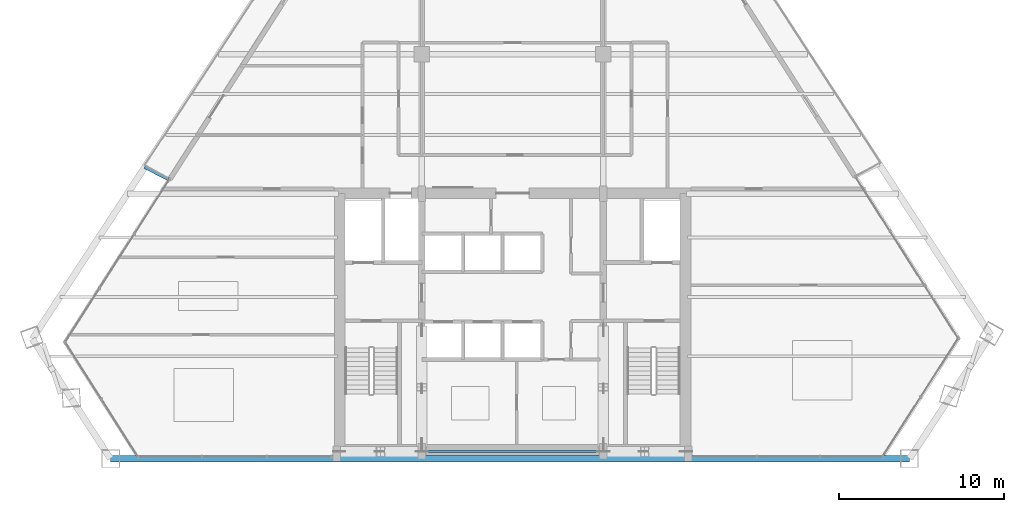
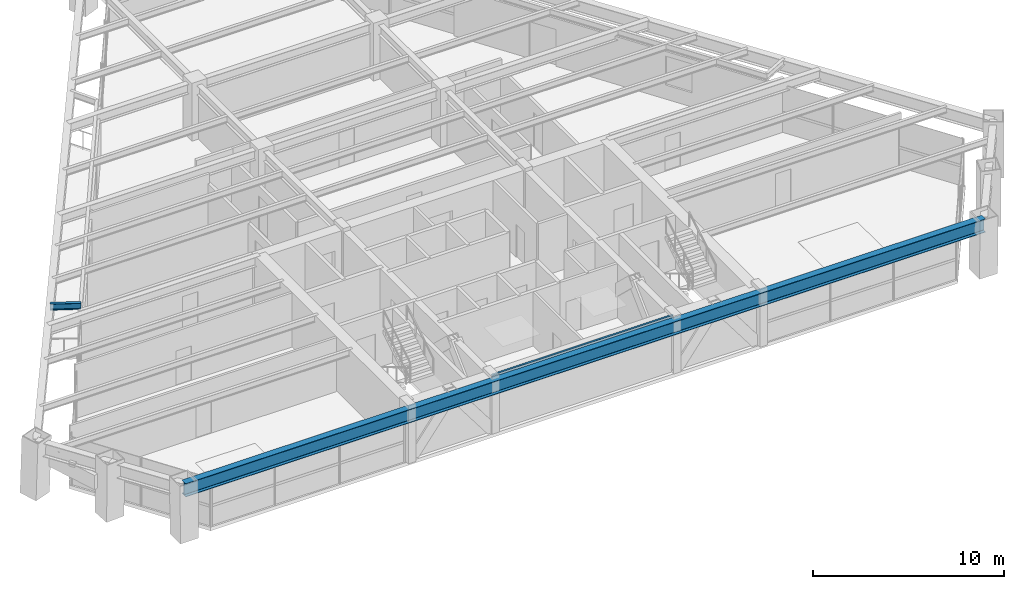
# One storey, part 3 of 15: 3 beams.
"""IFC4 building model written with IfcOpenShell, lengths in metres."""

from ifc_helpers import new_model, si_unit, direction, frame, origin, origin_2d, place, context, subcontext, project, spatial, i_section, extrude, source, transform, mapped, material, material_profile, profile_set, type_object, type_shapes, element, save


model = new_model("IFC4")

# Units and contexts
model_context = context("Model", 3, precision=1e-05, world=origin(), true_north=direction((0.0, 1.0)))
body_context = subcontext(model_context, "Body", "Model", "MODEL_VIEW")
ifc_project = project(units=[si_unit("LENGTHUNIT", "METRE"), si_unit("AREAUNIT", "SQUARE_METRE"), si_unit("VOLUMEUNIT", "CUBIC_METRE"), si_unit("PLANEANGLEUNIT", "RADIAN"), si_unit("MASSUNIT", "GRAM", prefix="KILO")], contexts=[model_context])

# Site, building, storey
site_placement = place(None, origin())
site = spatial("IfcSite", under=ifc_project, at=site_placement, CompositionType="ELEMENT")
building_placement = place(site_placement, origin())
building = spatial("IfcBuilding", under=site, at=building_placement, Name="Varnakhor Terracotta Tower", CompositionType="ELEMENT")
storey_placement = place(building_placement, frame((0.0, 0.0, 155.199951171875)))
storey = spatial("IfcBuildingStorey", under=building, at=storey_placement, Name="L39", CompositionType="ELEMENT", Elevation=155.199951171875)

# Beams
ifc_material = material(Name="Steel S355", Category="steel")
ifc_material_profile_1 = material_profile(ifc_material, i_section(OverallWidth=0.1201171875, OverallDepth=0.239990234375, WebThickness=0.006103515625, FlangeThickness=0.009765625, FilletRadius=0.01806640625, at=origin_2d()), Name="IPE240")
ifc_profile_set_1 = profile_set([ifc_material_profile_1], Name="Steel S355")
beam_type_1 = type_object("IfcBeamType", Name="LNT-IPE240", PredefinedType="LINTEL", material=ifc_profile_set_1)
shared_shape_1 = source(origin(), body_context, "Body", "SweptSolid", [
    extrude(i_section(OverallWidth=0.1201171875, OverallDepth=0.239990234375, WebThickness=0.006103515625, FlangeThickness=0.009765625, FilletRadius=0.01806640625, at=origin_2d()), origin(), (0.0, 0.0, 1.0), 11.0),
])
type_shapes(beam_type_1, [shared_shape_1])
beam_1_placement = place(storey_placement, frame((-5.5, 0.419921875, 3.35009765625), z_axis=(1.0, 0.0, 0.0), x_axis=(0.0, 1.0, 0.0)))
element("IfcBeam", 1, at=beam_1_placement, inside=storey, type_object=beam_type_1, Name="L39 Core South Coupling Lintel", PredefinedType="LINTEL", context=body_context, shape_type="MappedRepresentation", body=[
    mapped(shared_shape_1, transform((0.0, 0.0, 0.0), scale=1.0)),
])
ifc_material_profile_2 = material_profile(ifc_material, i_section(OverallWidth=0.39990234375, OverallDepth=0.85498046875, WebThickness=0.01806640625, FlangeThickness=0.029052734375, FilletRadius=0.01806640625, at=origin_2d()), Name="W33X201")
ifc_profile_set_2 = profile_set([ifc_material_profile_2], Name="Steel S355")
beam_type_2 = type_object("IfcBeamType", Name="BM-W33X201", PredefinedType="BEAM", material=ifc_profile_set_2)
shared_shape_2 = source(origin(), body_context, "Body", "SweptSolid", [
    extrude(i_section(OverallWidth=0.39990234375, OverallDepth=0.85498046875, WebThickness=0.01806640625, FlangeThickness=0.029052734375, FilletRadius=0.01806640625, at=origin_2d()), origin(), (0.0, 0.0, 1.0), 48.43310546875),
])
beam_2_placement = place(storey_placement, frame((-24.369384765625, 0.0, 3.04248046875), z_axis=(1.0, 0.0, 0.0), x_axis=(0.0, 1.0, 0.0)))
element("IfcBeam", 2, at=beam_2_placement, inside=storey, type_object=beam_type_2, Name="L39 Perimeter Spandrel 1", PredefinedType="BEAM", context=body_context, shape_type="MappedRepresentation", body=[
    mapped(shared_shape_2, transform((0.0, 0.0, 0.0), scale=1.0)),
])
ifc_material_profile_3 = material_profile(ifc_material, i_section(OverallWidth=0.179931640625, OverallDepth=0.39990234375, WebThickness=0.008544921875, FlangeThickness=0.013427734375, FilletRadius=0.01806640625, at=origin_2d()), Name="IPE400")
ifc_profile_set_3 = profile_set([ifc_material_profile_3], Name="Steel S355")
beam_type_3 = type_object("IfcBeamType", Name="JST-IPE400", PredefinedType="JOIST", material=ifc_profile_set_3)
shared_shape_3 = source(origin(), body_context, "Body", "SweptSolid", [
    extrude(i_section(OverallWidth=0.179931640625, OverallDepth=0.39990234375, WebThickness=0.008544921875, FlangeThickness=0.013427734375, FilletRadius=0.01806640625, at=origin_2d()), origin(), (0.0, 0.0, 1.0), 1.624755859375),
])
beam_3_placement = place(storey_placement, frame((-20.835693359375, 16.917236328125, 3.27001953125), z_axis=(-0.892647188324, 0.450756028442, 0.0), x_axis=(-0.450756028442, -0.892647188324, 0.0)))
element("IfcBeam", 3, at=beam_3_placement, inside=storey, type_object=beam_type_3, Name="L40 W Loggia Tie Beam 1", PredefinedType="JOIST", context=body_context, shape_type="MappedRepresentation", body=[
    mapped(shared_shape_3, transform((0.0, 0.0, 0.0), scale=1.0)),
])

save(model, "model.ifc")
